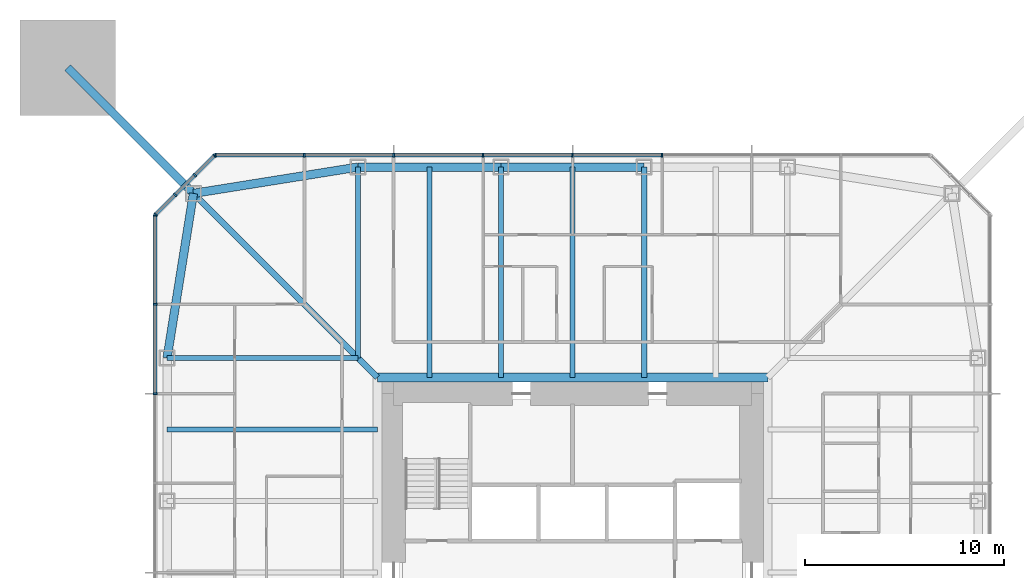
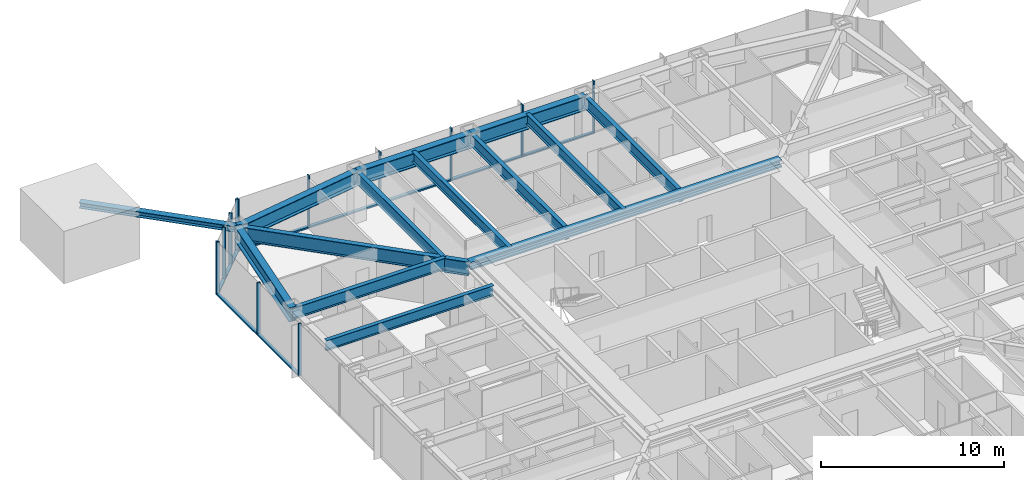
# One storey, part 7 of 27: 24 members, 13 beams, 3 elements without a shape of their own.
"""IFC4 building model written with IfcOpenShell, lengths in metres."""

from ifc_helpers import new_model, si_unit, direction, frame, origin, origin_2d, place, context, subcontext, project, spatial, rectangle, i_section, extrude, material, material_profile, profile_set, type_object, element, aggregate, save


model = new_model("IFC4")

# Units and contexts
model_context = context("Model", 3, precision=1e-05, world=origin(), true_north=direction((0.0, 1.0)))
body_context = subcontext(model_context, "Body", "Model", "MODEL_VIEW")
ifc_project = project(units=[si_unit("LENGTHUNIT", "METRE"), si_unit("AREAUNIT", "SQUARE_METRE"), si_unit("VOLUMEUNIT", "CUBIC_METRE"), si_unit("PLANEANGLEUNIT", "RADIAN"), si_unit("MASSUNIT", "GRAM", prefix="KILO")], contexts=[model_context])

# Site, building, storey
site_placement = place(None, origin())
site = spatial("IfcSite", under=ifc_project, at=site_placement, CompositionType="ELEMENT")
building_placement = place(site_placement, origin())
building = spatial("IfcBuilding", under=site, at=building_placement, Name="Iwan Alto Co-Living Towers", CompositionType="ELEMENT")
storey_placement = place(building_placement, frame((0.0, 0.0, 94.5)))
storey = spatial("IfcBuildingStorey", under=building, at=storey_placement, Name="L25", CompositionType="ELEMENT", Elevation=94.5)

# Curtain wall, members
ifc_material_1 = material(Name="Bronze aluminium unitised frame", Category="aluminium")
curtain_wall_type_1 = type_object("IfcCurtainWallType", Name="CURTAIN WALL CW-A", PredefinedType="NOTDEFINED", material=ifc_material_1)
curtain_wall_1_placement = place(storey_placement, origin())
curtain_wall_1 = element("IfcCurtainWall", 1, at=curtain_wall_1_placement, inside=storey, type_object=curtain_wall_type_1, Name="T1 curtain wall N L25", PredefinedType="NOTDEFINED")
ifc_material_2 = material(Name="Aluminium 6063-T6 bronze anodised", Category="aluminium")
ifc_material_profile_1 = material_profile(ifc_material_2, rectangle(XDim=0.199951171875, YDim=0.080078125, at=origin_2d()), Name="AL 80X200")
ifc_profile_set_1 = profile_set([ifc_material_profile_1], Name="Aluminium 6063-T6 bronze anodised")
member_type_1 = type_object("IfcMemberType", Name="CW-A MULLION 80X200", PredefinedType="MULLION", material=ifc_profile_set_1)
member_1_placement = place(storey_placement, frame((4.5, 21.0, 0.0), z_axis=(0.0, 0.0, 1.0), x_axis=(0.0, -1.0, 0.0)))
member_1 = element("IfcMember", 2, at=member_1_placement, type_object=member_type_1, Name="CW-A mullion 4", PredefinedType="MULLION", context=body_context, shape_type="SweptSolid", body=[
    extrude(rectangle(XDim=0.199951171875, YDim=0.080078125, at=origin_2d()), origin(), (0.0, 0.0, 1.0), 3.5),
])
member_2_placement = place(storey_placement, frame((0.0, 21.0, 0.0), z_axis=(0.0, 0.0, 1.0), x_axis=(0.0, -1.0, 0.0)))
member_2 = element("IfcMember", 3, at=member_2_placement, type_object=member_type_1, Name="CW-A mullion 5", PredefinedType="MULLION", context=body_context, shape_type="SweptSolid", body=[
    extrude(rectangle(XDim=0.199951171875, YDim=0.080078125, at=origin_2d()), origin(), (0.0, 0.0, 1.0), 3.5),
])
member_3_placement = place(storey_placement, frame((-4.5, 21.0, 0.0), z_axis=(0.0, 0.0, 1.0), x_axis=(0.0, -1.0, 0.0)))
member_3 = element("IfcMember", 4, at=member_3_placement, type_object=member_type_1, Name="CW-A mullion 6", PredefinedType="MULLION", context=body_context, shape_type="SweptSolid", body=[
    extrude(rectangle(XDim=0.199951171875, YDim=0.080078125, at=origin_2d()), origin(), (0.0, 0.0, 1.0), 3.5),
])
member_4_placement = place(storey_placement, frame((-9.0, 21.0, 0.0), z_axis=(0.0, 0.0, 1.0), x_axis=(0.0, -1.0, 0.0)))
member_4 = element("IfcMember", 5, at=member_4_placement, type_object=member_type_1, Name="CW-A mullion 7", PredefinedType="MULLION", context=body_context, shape_type="SweptSolid", body=[
    extrude(rectangle(XDim=0.199951171875, YDim=0.080078125, at=origin_2d()), origin(), (0.0, 0.0, 1.0), 3.5),
])
member_5_placement = place(storey_placement, frame((-13.5, 21.0, 0.0), z_axis=(0.0, 0.0, 1.0), x_axis=(0.0, -1.0, 0.0)))
member_5 = element("IfcMember", 6, at=member_5_placement, type_object=member_type_1, Name="CW-A mullion 8", PredefinedType="MULLION", context=body_context, shape_type="SweptSolid", body=[
    extrude(rectangle(XDim=0.199951171875, YDim=0.080078125, at=origin_2d()), origin(), (0.0, 0.0, 1.0), 3.5),
])
member_6_placement = place(storey_placement, frame((-17.9599609375, 21.0, 0.0), z_axis=(0.0, 0.0, 1.0), x_axis=(0.0, -1.0, 0.0)))
member_6 = element("IfcMember", 7, at=member_6_placement, type_object=member_type_1, Name="CW-A mullion 9", PredefinedType="MULLION", context=body_context, shape_type="SweptSolid", body=[
    extrude(rectangle(XDim=0.199951171875, YDim=0.080078125, at=origin_2d()), origin(), (0.0, 0.0, 1.0), 3.5),
])

curtain_wall_2_placement = place(storey_placement, origin())
curtain_wall_2 = element("IfcCurtainWall", 8, at=curtain_wall_2_placement, inside=storey, type_object=curtain_wall_type_1, Name="T1 curtain wall W L25", PredefinedType="NOTDEFINED")
member_7_placement = place(storey_placement, frame((-21.0, 17.9599609375, 0.0), z_axis=(0.0, 0.0, 1.0), x_axis=(1.0, 0.0, 0.0)))
member_7 = element("IfcMember", 9, at=member_7_placement, type_object=member_type_1, Name="CW-A mullion 1", PredefinedType="MULLION", context=body_context, shape_type="SweptSolid", body=[
    extrude(rectangle(XDim=0.199951171875, YDim=0.080078125, at=origin_2d()), origin(), (0.0, 0.0, 1.0), 3.5),
])
member_8_placement = place(storey_placement, frame((-21.0, 13.5, 0.0), z_axis=(0.0, 0.0, 1.0), x_axis=(1.0, 0.0, 0.0)))
member_8 = element("IfcMember", 10, at=member_8_placement, type_object=member_type_1, Name="CW-A mullion 2", PredefinedType="MULLION", context=body_context, shape_type="SweptSolid", body=[
    extrude(rectangle(XDim=0.199951171875, YDim=0.080078125, at=origin_2d()), origin(), (0.0, 0.0, 1.0), 3.5),
])
member_9_placement = place(storey_placement, frame((-21.0, 9.0, 0.0), z_axis=(0.0, 0.0, 1.0), x_axis=(1.0, 0.0, 0.0)))
member_9 = element("IfcMember", 11, at=member_9_placement, type_object=member_type_1, Name="CW-A mullion 3", PredefinedType="MULLION", context=body_context, shape_type="SweptSolid", body=[
    extrude(rectangle(XDim=0.199951171875, YDim=0.080078125, at=origin_2d()), origin(), (0.0, 0.0, 1.0), 3.5),
])

# Member
ifc_material_3 = material(Name="Aluminium 6063-T6 bronze anodised", Category="aluminium")
ifc_material_profile_2 = material_profile(ifc_material_3, rectangle(XDim=0.199951171875, YDim=0.10009765625, at=origin_2d()), Name="AL 200X100")
ifc_profile_set_2 = profile_set([ifc_material_profile_2], Name="Aluminium 6063-T6 bronze anodised")
member_type_2 = type_object("IfcMemberType", Name="CW-A TRANSOM 200X100", PredefinedType="USERDEFINED", material=ifc_profile_set_2)
member_10_placement = place(storey_placement, frame((4.4599609375, 21.0, 0.050048828125), z_axis=(-1.0, 0.0, 0.0), x_axis=(0.0, -1.0, 0.0)))
member_10 = element("IfcMember", 12, at=member_10_placement, type_object=member_type_2, Name="CW-A transom 4.1", ObjectType="TRANSOM", PredefinedType="USERDEFINED", context=body_context, shape_type="SweptSolid", body=[
    extrude(rectangle(XDim=0.199951171875, YDim=0.10009765625, at=origin_2d()), origin(), (0.0, 0.0, 1.0), 4.419921875),
])

member_11_placement = place(storey_placement, frame((-0.0400390625, 21.0, 0.050048828125), z_axis=(-1.0, 0.0, 0.0), x_axis=(0.0, -1.0, 0.0)))
member_11 = element("IfcMember", 13, at=member_11_placement, type_object=member_type_2, Name="CW-A transom 5.1", ObjectType="TRANSOM", PredefinedType="USERDEFINED", context=body_context, shape_type="SweptSolid", body=[
    extrude(rectangle(XDim=0.199951171875, YDim=0.10009765625, at=origin_2d()), origin(), (0.0, 0.0, 1.0), 4.419921875),
])

member_12_placement = place(storey_placement, frame((-4.5400390625, 21.0, 0.050048828125), z_axis=(-1.0, 0.0, 0.0), x_axis=(0.0, -1.0, 0.0)))
member_12 = element("IfcMember", 14, at=member_12_placement, type_object=member_type_2, Name="CW-A transom 6.1", ObjectType="TRANSOM", PredefinedType="USERDEFINED", context=body_context, shape_type="SweptSolid", body=[
    extrude(rectangle(XDim=0.199951171875, YDim=0.10009765625, at=origin_2d()), origin(), (0.0, 0.0, 1.0), 4.419921875),
])

member_13_placement = place(storey_placement, frame((-9.0400390625, 21.0, 0.050048828125), z_axis=(-1.0, 0.0, 0.0), x_axis=(0.0, -1.0, 0.0)))
member_13 = element("IfcMember", 15, at=member_13_placement, type_object=member_type_2, Name="CW-A transom 7.1", ObjectType="TRANSOM", PredefinedType="USERDEFINED", context=body_context, shape_type="SweptSolid", body=[
    extrude(rectangle(XDim=0.199951171875, YDim=0.10009765625, at=origin_2d()), origin(), (0.0, 0.0, 1.0), 4.419921875),
])

member_14_placement = place(storey_placement, frame((-13.5400390625, 21.0, 0.050048828125), z_axis=(-1.0, 0.0, 0.0), x_axis=(0.0, -1.0, 0.0)))
member_14 = element("IfcMember", 16, at=member_14_placement, type_object=member_type_2, Name="CW-A transom 8.1", ObjectType="TRANSOM", PredefinedType="USERDEFINED", context=body_context, shape_type="SweptSolid", body=[
    extrude(rectangle(XDim=0.199951171875, YDim=0.10009765625, at=origin_2d()), origin(), (0.0, 0.0, 1.0), 4.3798828125),
])

aggregate(curtain_wall_1, [member_1, member_2, member_3, member_4, member_5, member_6, member_10, member_11, member_12, member_13, member_14])

member_15_placement = place(storey_placement, frame((-21.0, 17.919921875, 0.050048828125), z_axis=(0.0, -1.0, 0.0), x_axis=(1.0, 0.0, 0.0)))
member_15 = element("IfcMember", 17, at=member_15_placement, type_object=member_type_2, Name="CW-A transom 1.1", ObjectType="TRANSOM", PredefinedType="USERDEFINED", context=body_context, shape_type="SweptSolid", body=[
    extrude(rectangle(XDim=0.199951171875, YDim=0.10009765625, at=origin_2d()), origin(), (0.0, 0.0, 1.0), 4.3798828125),
])

member_16_placement = place(storey_placement, frame((-21.0, 13.4599609375, 0.050048828125), z_axis=(0.0, -1.0, 0.0), x_axis=(1.0, 0.0, 0.0)))
member_16 = element("IfcMember", 18, at=member_16_placement, type_object=member_type_2, Name="CW-A transom 2.1", ObjectType="TRANSOM", PredefinedType="USERDEFINED", context=body_context, shape_type="SweptSolid", body=[
    extrude(rectangle(XDim=0.199951171875, YDim=0.10009765625, at=origin_2d()), origin(), (0.0, 0.0, 1.0), 4.419921875),
])

aggregate(curtain_wall_2, [member_7, member_8, member_9, member_15, member_16])

# Curtain wall, members
ifc_material_4 = material(Name="Bronze aluminium unitised frame", Category="aluminium")
curtain_wall_type_2 = type_object("IfcCurtainWallType", Name="CURTAIN WALL CW-B", PredefinedType="NOTDEFINED", material=ifc_material_4)
curtain_wall_3_placement = place(storey_placement, origin())
curtain_wall_3 = element("IfcCurtainWall", 19, at=curtain_wall_3_placement, inside=storey, type_object=curtain_wall_type_2, Name="T1 chamfer curtain wall NW L25", PredefinedType="NOTDEFINED")
ifc_material_5 = material(Name="Aluminium 6063-T6 bronze anodised", Category="aluminium")
ifc_material_profile_3 = material_profile(ifc_material_5, rectangle(XDim=0.199951171875, YDim=0.080078125, at=origin_2d()), Name="AL 80X200")
ifc_profile_set_3 = profile_set([ifc_material_profile_3], Name="Aluminium 6063-T6 bronze anodised")
member_type_3 = type_object("IfcMemberType", Name="CW-B MULLION 80X200", PredefinedType="MULLION", material=ifc_profile_set_3)
member_17_placement = place(storey_placement, frame((-18.0283203125, 20.9716796875, 0.0), z_axis=(0.0, 0.0, 1.0), x_axis=(0.707106781187, -0.707106781187, 0.0)))
member_17 = element("IfcMember", 20, at=member_17_placement, type_object=member_type_3, Name="CW-B mullion 1", PredefinedType="MULLION", context=body_context, shape_type="SweptSolid", body=[
    extrude(rectangle(XDim=0.199951171875, YDim=0.080078125, at=origin_2d()), origin(), (0.0, 0.0, 1.0), 3.5),
])
member_18_placement = place(storey_placement, frame((-19.0, 20.0, 0.0), z_axis=(0.0, 0.0, 1.0), x_axis=(0.707106781187, -0.707106781187, 0.0)))
member_18 = element("IfcMember", 21, at=member_18_placement, type_object=member_type_3, Name="CW-B mullion 2", PredefinedType="MULLION", context=body_context, shape_type="SweptSolid", body=[
    extrude(rectangle(XDim=0.199951171875, YDim=0.080078125, at=origin_2d()), origin(), (0.0, 0.0, 1.0), 3.5),
])
member_19_placement = place(storey_placement, frame((-20.0, 19.0, 0.0), z_axis=(0.0, 0.0, 1.0), x_axis=(0.707106781187, -0.707106781187, 0.0)))
member_19 = element("IfcMember", 22, at=member_19_placement, type_object=member_type_3, Name="CW-B mullion 3", PredefinedType="MULLION", context=body_context, shape_type="SweptSolid", body=[
    extrude(rectangle(XDim=0.199951171875, YDim=0.080078125, at=origin_2d()), origin(), (0.0, 0.0, 1.0), 3.5),
])
member_20_placement = place(storey_placement, frame((-20.9716796875, 18.0283203125, 0.0), z_axis=(0.0, 0.0, 1.0), x_axis=(0.707106781187, -0.707106781187, 0.0)))
member_20 = element("IfcMember", 23, at=member_20_placement, type_object=member_type_3, Name="CW-B mullion 4", PredefinedType="MULLION", context=body_context, shape_type="SweptSolid", body=[
    extrude(rectangle(XDim=0.199951171875, YDim=0.080078125, at=origin_2d()), origin(), (0.0, 0.0, 1.0), 3.5),
])
ifc_material_6 = material(Name="Aluminium 6063-T6 bronze anodised", Category="aluminium")
ifc_material_profile_4 = material_profile(ifc_material_6, rectangle(XDim=0.199951171875, YDim=0.10009765625, at=origin_2d()), Name="AL 200X100")
ifc_profile_set_4 = profile_set([ifc_material_profile_4], Name="Aluminium 6063-T6 bronze anodised")
member_type_4 = type_object("IfcMemberType", Name="CW-B TRANSOM 200X100", PredefinedType="USERDEFINED", material=ifc_profile_set_4)
member_21_placement = place(storey_placement, frame((-18.056640625, 20.943359375, 0.050048828125), z_axis=(-0.707106781187, -0.707106781187, 0.0), x_axis=(0.707106781187, -0.707106781187, 0.0)))
member_21 = element("IfcMember", 24, at=member_21_placement, type_object=member_type_4, Name="CW-B transom 1.1", ObjectType="TRANSOM", PredefinedType="USERDEFINED", context=body_context, shape_type="SweptSolid", body=[
    extrude(rectangle(XDim=0.199951171875, YDim=0.10009765625, at=origin_2d()), origin(), (0.0, 0.0, 1.0), 1.2939453125),
])
member_22_placement = place(storey_placement, frame((-19.0283203125, 19.9716796875, 0.050048828125), z_axis=(-0.707106781187, -0.707106781187, 0.0), x_axis=(0.707106781187, -0.707106781187, 0.0)))
member_22 = element("IfcMember", 25, at=member_22_placement, type_object=member_type_4, Name="CW-B transom 2.1", ObjectType="TRANSOM", PredefinedType="USERDEFINED", context=body_context, shape_type="SweptSolid", body=[
    extrude(rectangle(XDim=0.199951171875, YDim=0.10009765625, at=origin_2d()), origin(), (0.0, 0.0, 1.0), 1.334228515625),
])
member_23_placement = place(storey_placement, frame((-20.0283203125, 18.9716796875, 0.050048828125), z_axis=(-0.707106781187, -0.707106781187, 0.0), x_axis=(0.707106781187, -0.707106781187, 0.0)))
member_23 = element("IfcMember", 26, at=member_23_placement, type_object=member_type_4, Name="CW-B transom 3.1", ObjectType="TRANSOM", PredefinedType="USERDEFINED", context=body_context, shape_type="SweptSolid", body=[
    extrude(rectangle(XDim=0.199951171875, YDim=0.10009765625, at=origin_2d()), origin(), (0.0, 0.0, 1.0), 1.2939453125),
])
aggregate(curtain_wall_3, [member_17, member_18, member_19, member_20, member_21, member_22, member_23])

# Beams
ifc_material_7 = material(Name="Steel ASTM A992 Gr 50", Category="steel")
ifc_material_profile_5 = material_profile(ifc_material_7, i_section(OverallWidth=0.436767578125, OverallDepth=0.51318359375, WebThickness=0.060546875, FlangeThickness=0.096923828125, at=origin_2d()), Name="W14X550")
ifc_profile_set_5 = profile_set([ifc_material_profile_5], Name="Steel ASTM A992 Gr 50")
beam_type_1 = type_object("IfcBeamType", Name="T1 CORE LEDGER BEAM W14X550", PredefinedType="BEAM", material=ifc_profile_set_5)
beam_1_placement = place(storey_placement, frame((9.818359375, 9.818359375, 3.013427734375), z_axis=(-1.0, 0.0, 0.0), x_axis=(0.0, -1.0, 0.0)))
element("IfcBeam", 27, at=beam_1_placement, inside=storey, type_object=beam_type_1, Name="T1 core ledger beam N L26", PredefinedType="BEAM", context=body_context, shape_type="SweptSolid", body=[
    extrude(i_section(OverallWidth=0.436767578125, OverallDepth=0.51318359375, WebThickness=0.060546875, FlangeThickness=0.096923828125, at=origin_2d()), origin(), (0.0, 0.0, 1.0), 19.63671875),
])
ifc_material_8 = material(Name="Steel ASTM A992 Gr 50", Category="steel")
ifc_material_profile_6 = material_profile(ifc_material_8, i_section(OverallWidth=0.307373046875, OverallDepth=0.927001953125, WebThickness=0.01953125, FlangeThickness=0.031982421875, at=origin_2d()), Name="W36X194")
ifc_profile_set_6 = profile_set([ifc_material_profile_6], Name="Steel ASTM A992 Gr 50")
beam_type_2 = type_object("IfcBeamType", Name="T1 CORNER GIRDER W36X194", PredefinedType="BEAM", material=ifc_profile_set_6)
beam_2_placement = place(storey_placement, frame((-19.07568359375, 19.07568359375, 2.806396484375), z_axis=(0.707106781187, -0.707106781187, 0.0), x_axis=(0.707106781187, 0.707106781187, 0.0)))
element("IfcBeam", 28, at=beam_2_placement, inside=storey, type_object=beam_type_2, Name="T1 corner girder CNW L26", PredefinedType="BEAM", context=body_context, shape_type="SweptSolid", body=[
    extrude(i_section(OverallWidth=0.307373046875, OverallDepth=0.927001953125, WebThickness=0.01953125, FlangeThickness=0.031982421875, at=origin_2d()), origin(), (0.0, 0.0, 1.0), 13.091796875),
])
ifc_material_9 = material(Name="Steel ASTM A992 Gr 50", Category="steel")
ifc_material_profile_7 = material_profile(ifc_material_9, i_section(OverallWidth=0.424072265625, OverallDepth=0.947509765625, WebThickness=0.02392578125, FlangeThickness=0.042724609375, at=origin_2d()), Name="W36X302")
ifc_profile_set_7 = profile_set([ifc_material_profile_7], Name="Steel ASTM A992 Gr 50")
beam_type_3 = type_object("IfcBeamType", Name="T1 EDGE BEAM W36X302", PredefinedType="BEAM", material=ifc_profile_set_7)
beam_3_placement = place(storey_placement, frame((3.60009765625, 20.39990234375, 2.79638671875), z_axis=(-1.0, 0.0, 0.0), x_axis=(0.0, -1.0, 0.0)))
element("IfcBeam", 29, at=beam_3_placement, inside=storey, type_object=beam_type_3, Name="T1 edge beam N2 L26", PredefinedType="BEAM", context=body_context, shape_type="SweptSolid", body=[
    extrude(i_section(OverallWidth=0.424072265625, OverallDepth=0.947509765625, WebThickness=0.02392578125, FlangeThickness=0.042724609375, at=origin_2d()), origin(), (0.0, 0.0, 1.0), 7.2001953125),
])
beam_4_placement = place(storey_placement, frame((-3.60009765625, 20.39990234375, 2.79638671875), z_axis=(-1.0, 0.0, 0.0), x_axis=(0.0, -1.0, 0.0)))
element("IfcBeam", 30, at=beam_4_placement, inside=storey, type_object=beam_type_3, Name="T1 edge beam N3 L26", PredefinedType="BEAM", context=body_context, shape_type="SweptSolid", body=[
    extrude(i_section(OverallWidth=0.424072265625, OverallDepth=0.947509765625, WebThickness=0.02392578125, FlangeThickness=0.042724609375, at=origin_2d()), origin(), (0.0, 0.0, 1.0), 7.199951171875),
])
for number, where, z_axis, x_axis, name in (
    (31, (-10.800048828125, 20.39990234375, 2.79638671875), (-0.987438450439, -0.158004134737, 0.0), (0.158004134737, -0.987438450439, 0.0), "T1 edge beam N4 L26"),
    (32, (-19.07568359375, 19.07568359375, 2.79638671875), (-0.158004134737, -0.987438450439, 0.0), (0.987438450439, -0.158004134737, 0.0), "T1 edge beam CNW L26"),
):
    element("IfcBeam", number, at=place(storey_placement, frame(where, z_axis=z_axis, x_axis=x_axis)), inside=storey, type_object=beam_type_3, Name=name, PredefinedType="BEAM", context=body_context, shape_type="SweptSolid", body=[
        extrude(i_section(OverallWidth=0.424072265625, OverallDepth=0.947509765625, WebThickness=0.02392578125, FlangeThickness=0.042724609375, at=origin_2d()), origin(), (0.0, 0.0, 1.0), 8.380859375),
    ])

# Member
ifc_material_10 = material(Name="Steel ASTM A992 Gr 50", Category="steel")
ifc_material_profile_8 = material_profile(ifc_material_10, i_section(OverallWidth=0.393798828125, OverallDepth=0.3759765625, WebThickness=0.017333984375, FlangeThickness=0.027587890625, at=origin_2d()), Name="W14X145")
ifc_profile_set_8 = profile_set([ifc_material_profile_8], Name="Steel ASTM A992 Gr 50")
member_type_5 = type_object("IfcMemberType", Name="T1 MEGA COLUMN FLOOR TIE W14X145", PredefinedType="STRUT", material=ifc_profile_set_8)
member_24_placement = place(storey_placement, frame((-25.39990234375, 25.39990234375, 3.08203125), z_axis=(0.707106781187, -0.707106781187, 0.0), x_axis=(0.707106781187, 0.707106781187, 0.0)))
element("IfcMember", 33, at=member_24_placement, inside=storey, type_object=member_type_5, Name="T1 mega column floor tie NW L26", PredefinedType="STRUT", context=body_context, shape_type="SweptSolid", body=[
    extrude(i_section(OverallWidth=0.393798828125, OverallDepth=0.3759765625, WebThickness=0.017333984375, FlangeThickness=0.027587890625, at=origin_2d()), origin(), (0.0, 0.0, 1.0), 8.94384765625),
])

# Beams
ifc_material_11 = material(Name="Steel ASTM A992 Gr 50", Category="steel")
ifc_material_profile_9 = material_profile(ifc_material_11, i_section(OverallWidth=0.2666015625, OverallDepth=0.761962890625, WebThickness=0.014404296875, FlangeThickness=0.021484375, at=origin_2d()), Name="W30X116")
ifc_profile_set_9 = profile_set([ifc_material_profile_9], Name="Steel ASTM A992 Gr 50")
beam_type_4 = type_object("IfcBeamType", Name="T1 RADIAL BEAM W30X116", PredefinedType="BEAM", material=ifc_profile_set_9)
for number, where, z_axis, x_axis, name in (
    (34, (3.60009765625, 20.39990234375, 2.888916015625), (0.0, -1.0, 0.0), (1.0, 0.0, 0.0), "T1 radial beam N2 L26"),
    (35, (-3.60009765625, 20.39990234375, 2.888916015625), (0.0, -1.0, 0.0), (1.0, 0.0, 0.0), "T1 radial beam N3 L26"),
):
    element("IfcBeam", number, at=place(storey_placement, frame(where, z_axis=z_axis, x_axis=x_axis)), inside=storey, type_object=beam_type_4, Name=name, PredefinedType="BEAM", context=body_context, shape_type="SweptSolid", body=[
        extrude(i_section(OverallWidth=0.2666015625, OverallDepth=0.761962890625, WebThickness=0.014404296875, FlangeThickness=0.021484375, at=origin_2d()), origin(), (0.0, 0.0, 1.0), 10.58154296875),
    ])
for number, where, z_axis, x_axis, name in (
    (36, (-10.800048828125, 20.39990234375, 2.888916015625), (0.0, -1.0, 0.0), (1.0, 0.0, 0.0), "T1 radial beam N4 L26"),
    (37, (-20.39990234375, 10.800048828125, 2.888916015625), (1.0, 0.0, 0.0), (0.0, 1.0, 0.0), "T1 radial beam W1 L26"),
):
    element("IfcBeam", number, at=place(storey_placement, frame(where, z_axis=z_axis, x_axis=x_axis)), inside=storey, type_object=beam_type_4, Name=name, PredefinedType="BEAM", context=body_context, shape_type="SweptSolid", body=[
        extrude(i_section(OverallWidth=0.2666015625, OverallDepth=0.761962890625, WebThickness=0.014404296875, FlangeThickness=0.021484375, at=origin_2d()), origin(), (0.0, 0.0, 1.0), 9.599853515625),
    ])
ifc_material_12 = material(Name="Steel ASTM A992 Gr 50", Category="steel")
ifc_material_profile_10 = material_profile(ifc_material_12, i_section(OverallWidth=0.25390625, OverallDepth=0.683349609375, WebThickness=0.012451171875, FlangeThickness=0.018798828125, at=origin_2d()), Name="W27X94")
ifc_profile_set_10 = profile_set([ifc_material_profile_10], Name="Steel ASTM A992 Gr 50")
beam_type_5 = type_object("IfcBeamType", Name="T1 SECONDARY BEAM W27X94", PredefinedType="JOIST", material=ifc_profile_set_10)
for number, where, z_axis, x_axis, name in (
    (38, (0.0, 20.39990234375, 2.928466796875), (0.0, -1.0, 0.0), (1.0, 0.0, 0.0), "T1 secondary beam N2 L26"),
    (39, (-7.199951171875, 20.39990234375, 2.928466796875), (0.0, -1.0, 0.0), (1.0, 0.0, 0.0), "T1 secondary beam N3 L26"),
    (40, (-20.39990234375, 7.199951171875, 2.928466796875), (1.0, 0.0, 0.0), (0.0, 1.0, 0.0), "T1 secondary beam W1 L26"),
):
    element("IfcBeam", number, at=place(storey_placement, frame(where, z_axis=z_axis, x_axis=x_axis)), inside=storey, type_object=beam_type_5, Name=name, PredefinedType="JOIST", context=body_context, shape_type="SweptSolid", body=[
        extrude(i_section(OverallWidth=0.25390625, OverallDepth=0.683349609375, WebThickness=0.012451171875, FlangeThickness=0.018798828125, at=origin_2d()), origin(), (0.0, 0.0, 1.0), 10.58154296875),
    ])

save(model, "model.ifc")
